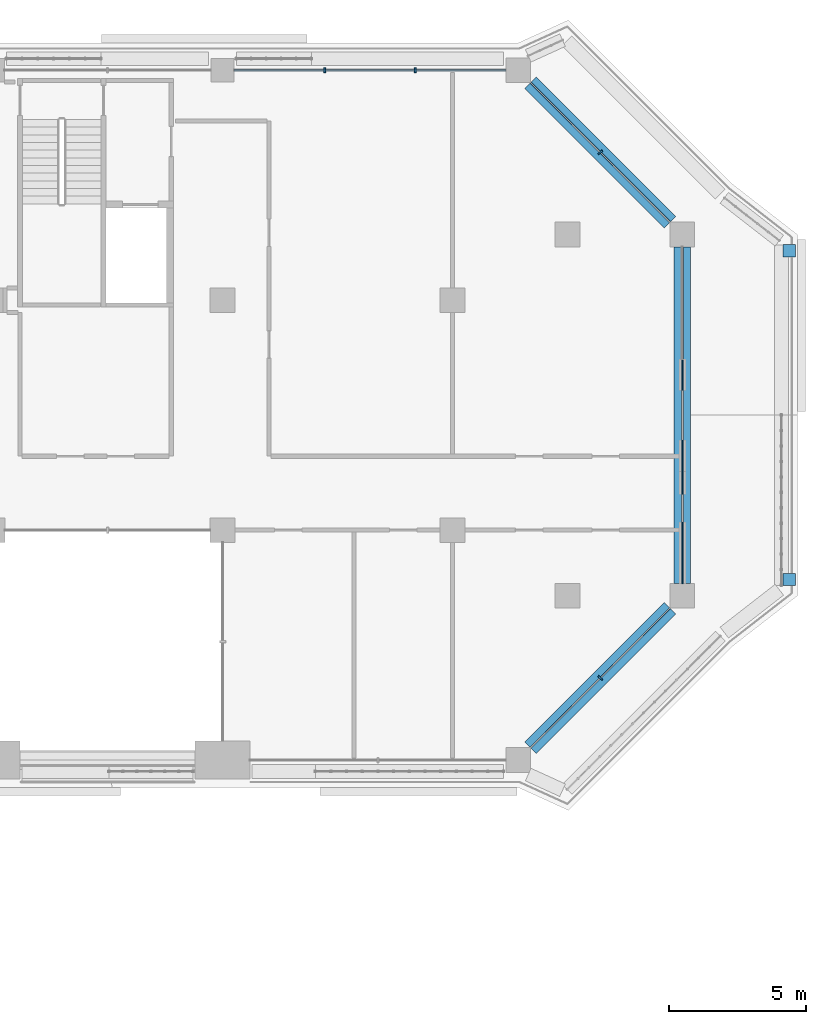
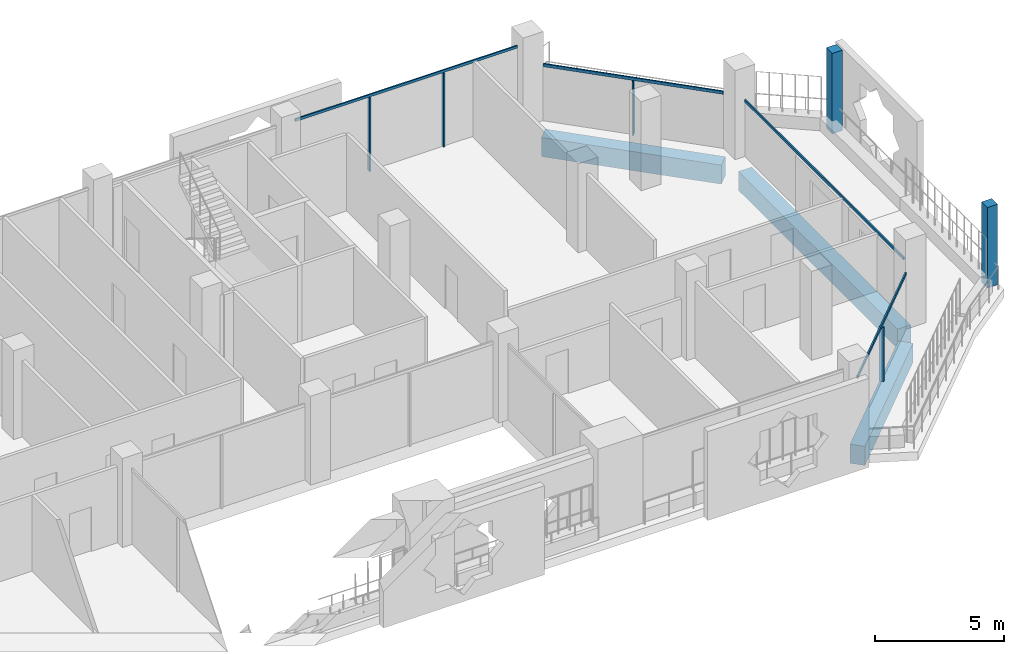
# One storey, part 9 of 23: 10 members, 3 beams, 5 elements without a shape of their own.
"""IFC4 building model written with IfcOpenShell, lengths in metres."""

from ifc_helpers import new_model, si_unit, direction, frame, origin, origin_2d, place, context, subcontext, project, spatial, rectangle, extrude, material, layer, layer_set, material_profile, profile_set, type_object, element, aggregate, save


model = new_model("IFC4")

# Units and contexts
model_context = context("Model", 3, precision=1e-05, world=origin(), true_north=direction((0.0, 1.0)))
body_context = subcontext(model_context, "Body", "Model", "MODEL_VIEW")
ifc_project = project(units=[si_unit("LENGTHUNIT", "METRE"), si_unit("AREAUNIT", "SQUARE_METRE"), si_unit("VOLUMEUNIT", "CUBIC_METRE"), si_unit("PLANEANGLEUNIT", "RADIAN"), si_unit("MASSUNIT", "GRAM", prefix="KILO")], contexts=[model_context])

# Site, building, storey
site_placement = place(None, origin())
site = spatial("IfcSite", under=ifc_project, at=site_placement, CompositionType="ELEMENT")
building_placement = place(site_placement, origin())
building = spatial("IfcBuilding", under=site, at=building_placement, Name="Kawkab Arch Medical Tower", CompositionType="ELEMENT")
storey_placement = place(building_placement, frame((0.0, 0.0, 222.199951171875)))
storey = spatial("IfcBuildingStorey", under=building, at=storey_placement, Name="L51", CompositionType="ELEMENT", Elevation=222.199951171875)

# Curtain wall, members
ifc_material_1 = material(Name="Bronze anodised aluminium curtain wall frame", Category="aluminium")
ifc_layer_1 = layer(ifc_material_1, 0.159912109375)
ifc_layer_set_1 = layer_set([ifc_layer_1], Name="Bronze anodised aluminium curtain wall frame")
curtain_wall_type_1 = type_object("IfcCurtainWallType", Name="CW1 ward curtain wall", PredefinedType="NOTDEFINED", material=ifc_layer_set_1)
placement = place(storey_placement, origin())
curtain_wall_1 = element("IfcCurtainWall", 1, at=placement, inside=storey, type_object=curtain_wall_type_1, Name="CW1 Ward curtain wall R09", PredefinedType="NOTDEFINED")
ifc_material_2 = material(Name="Bronze anodised aluminium curtain wall frame", Category="aluminium")
ifc_material_profile_1 = material_profile(ifc_material_2, rectangle(XDim=0.179931640625, YDim=0.06005859375, at=origin_2d()), Name="AL 60x180")
ifc_profile_set_1 = profile_set([ifc_material_profile_1], Name="Bronze anodised aluminium curtain wall frame")
member_type_1 = type_object("IfcMemberType", Name="CW1 mullion 60 x 180", PredefinedType="MULLION", material=ifc_profile_set_1)
member_1_placement = place(storey_placement, frame((57.441650390625, 0.0, 0.0), z_axis=(0.0, 0.0, 1.0), x_axis=(0.0, -1.0, 0.0)))
member_1 = element("IfcMember", 2, at=member_1_placement, type_object=member_type_1, Name="CW1 mullion 1.1", PredefinedType="MULLION", context=body_context, shape_type="SweptSolid", body=[
    extrude(rectangle(XDim=0.179931640625, YDim=0.06005859375, at=origin_2d()), origin(), (0.0, 0.0, 1.0), 3.47998046875),
])
member_2_placement = place(storey_placement, frame((54.13330078125, 0.0, 0.0), z_axis=(0.0, 0.0, 1.0), x_axis=(0.0, -1.0, 0.0)))
member_2 = element("IfcMember", 3, at=member_2_placement, type_object=member_type_1, Name="CW1 mullion 1.2", PredefinedType="MULLION", context=body_context, shape_type="SweptSolid", body=[
    extrude(rectangle(XDim=0.179931640625, YDim=0.06005859375, at=origin_2d()), origin(), (0.0, 0.0, 1.0), 3.47998046875),
])

# Curtain wall, member
curtain_wall_2 = element("IfcCurtainWall", 4, at=placement, inside=storey, type_object=curtain_wall_type_1, Name="CW1 Ward curtain wall R07", PredefinedType="NOTDEFINED")
ifc_material_3 = material(Name="Bronze anodised aluminium curtain wall frame", Category="aluminium")
ifc_material_profile_2 = material_profile(ifc_material_3, rectangle(XDim=0.06005859375, YDim=0.1201171875, at=origin_2d()), Name="AL 60x120")
ifc_profile_set_2 = profile_set([ifc_material_profile_2], Name="Bronze anodised aluminium curtain wall frame")
member_type_2 = type_object("IfcMemberType", Name="CW1 transom 120 x 60", PredefinedType="USERDEFINED", material=ifc_profile_set_2)
member_3_placement = place(storey_placement, frame((67.199951171875, -18.75, 2.64013671875), z_axis=(0.0, 1.0, 0.0), x_axis=(-1.0, 0.0, 0.0)))
member_3 = element("IfcMember", 5, at=member_3_placement, type_object=member_type_2, Name="CW1 transom 1", ObjectType="TRANSOM", PredefinedType="USERDEFINED", context=body_context, shape_type="SweptSolid", body=[
    extrude(rectangle(XDim=0.06005859375, YDim=0.1201171875, at=origin_2d()), origin(), (0.0, 0.0, 1.0), 12.300048828125),
])
aggregate(curtain_wall_2, [member_3])

# Member
member_4_placement = place(storey_placement, frame((60.75, 0.0, 3.5400390625), z_axis=(-1.0, 0.0, 0.0), x_axis=(0.0, -1.0, 0.0)))
member_4 = element("IfcMember", 6, at=member_4_placement, type_object=member_type_2, Name="CW1 transom 1", ObjectType="TRANSOM", PredefinedType="USERDEFINED", context=body_context, shape_type="SweptSolid", body=[
    extrude(rectangle(XDim=0.06005859375, YDim=0.1201171875, at=origin_2d()), origin(), (0.0, 0.0, 1.0), 9.925048828125),
])

aggregate(curtain_wall_1, [member_4, member_1, member_2])

# Curtain wall, member
ifc_material_4 = material(Name="Bronze anodised aluminium curtain wall frame", Category="aluminium")
ifc_layer_2 = layer(ifc_material_4, 0.159912109375)
ifc_layer_set_2 = layer_set([ifc_layer_2], Name="Bronze anodised aluminium curtain wall frame")
curtain_wall_type_2 = type_object("IfcCurtainWallType", Name="CW2 chamfer curtain wall", PredefinedType="NOTDEFINED", material=ifc_layer_set_2)
curtain_wall_3 = element("IfcCurtainWall", 7, at=placement, inside=storey, type_object=curtain_wall_type_2, Name="CW2 Chamfer curtain wall R06", PredefinedType="NOTDEFINED")
ifc_material_5 = material(Name="Bronze anodised aluminium curtain wall frame", Category="aluminium")
ifc_material_profile_3 = material_profile(ifc_material_5, rectangle(XDim=0.199951171875, YDim=0.06005859375, at=origin_2d()), Name="AL 60x200")
ifc_profile_set_3 = profile_set([ifc_material_profile_3], Name="Bronze anodised aluminium curtain wall frame")
member_type_3 = type_object("IfcMemberType", Name="CW2 mullion 60 x 200", PredefinedType="MULLION", material=ifc_profile_set_3)
member_5_placement = place(storey_placement, frame((64.199951171875, -22.199951171875, 0.0), z_axis=(0.0, 0.0, 1.0), x_axis=(-0.707106781187, 0.707106781187, 0.0)))
member_5 = element("IfcMember", 8, at=member_5_placement, type_object=member_type_3, Name="CW2 mullion 1.1", PredefinedType="MULLION", context=body_context, shape_type="SweptSolid", body=[
    extrude(rectangle(XDim=0.199951171875, YDim=0.06005859375, at=origin_2d()), origin(), (0.0, 0.0, 1.0), 2.56005859375),
])

curtain_wall_4 = element("IfcCurtainWall", 9, at=placement, inside=storey, type_object=curtain_wall_type_2, Name="CW2 Chamfer curtain wall R08", PredefinedType="NOTDEFINED")
member_6_placement = place(storey_placement, frame((64.199951171875, -3.0, 0.0), z_axis=(0.0, 0.0, 1.0), x_axis=(-0.707106781187, -0.707106781187, 0.0)))
member_6 = element("IfcMember", 10, at=member_6_placement, type_object=member_type_3, Name="CW2 mullion 1.1", PredefinedType="MULLION", context=body_context, shape_type="SweptSolid", body=[
    extrude(rectangle(XDim=0.199951171875, YDim=0.06005859375, at=origin_2d()), origin(), (0.0, 0.0, 1.0), 2.56005859375),
])

# Member
ifc_material_6 = material(Name="Bronze anodised aluminium curtain wall frame", Category="aluminium")
ifc_material_profile_4 = material_profile(ifc_material_6, rectangle(XDim=0.06005859375, YDim=0.139892578125, at=origin_2d()), Name="AL 60x140")
ifc_profile_set_4 = profile_set([ifc_material_profile_4], Name="Bronze anodised aluminium curtain wall frame")
member_type_4 = type_object("IfcMemberType", Name="CW2 transom 140 x 60", PredefinedType="USERDEFINED", material=ifc_profile_set_4)
member_7_placement = place(storey_placement, frame((61.64990234375, -24.75, 2.630126953125), z_axis=(0.707106781187, 0.707106781187, 0.0), x_axis=(-0.707106781187, 0.707106781187, 0.0)))
member_7 = element("IfcMember", 11, at=member_7_placement, type_object=member_type_4, Name="CW2 transom 1", ObjectType="TRANSOM", PredefinedType="USERDEFINED", context=body_context, shape_type="SweptSolid", body=[
    extrude(rectangle(XDim=0.06005859375, YDim=0.139892578125, at=origin_2d()), origin(), (0.0, 0.0, 1.0), 7.212646484375),
])

aggregate(curtain_wall_3, [member_7, member_5])

member_8_placement = place(storey_placement, frame((66.75, -5.550048828125, 2.630126953125), z_axis=(-0.707106781187, 0.707106781187, 0.0), x_axis=(-0.707106781187, -0.707106781187, 0.0)))
member_8 = element("IfcMember", 12, at=member_8_placement, type_object=member_type_4, Name="CW2 transom 1", ObjectType="TRANSOM", PredefinedType="USERDEFINED", context=body_context, shape_type="SweptSolid", body=[
    extrude(rectangle(XDim=0.06005859375, YDim=0.139892578125, at=origin_2d()), origin(), (0.0, 0.0, 1.0), 7.212646484375),
])

aggregate(curtain_wall_4, [member_8, member_6])

# Curtain wall, members
ifc_material_7 = material(Name="Bronze anodised aluminium climber frame, planted", Category="aluminium")
ifc_layer_3 = layer(ifc_material_7, 0.449951171875)
ifc_layer_set_3 = layer_set([ifc_layer_3], Name="Bronze anodised aluminium climber frame, planted")
curtain_wall_type_3 = type_object("IfcCurtainWallType", Name="Planted climber frame", PredefinedType="NOTDEFINED", material=ifc_layer_set_3)
curtain_wall_5 = element("IfcCurtainWall", 13, at=placement, inside=storey, type_object=curtain_wall_type_3, Name="Planted climber frame L51", PredefinedType="NOTDEFINED")
ifc_material_8 = material(Name="Bronze anodised aluminium climber frame, planted", Category="aluminium")
ifc_material_profile_5 = material_profile(ifc_material_8, rectangle(XDim=0.449951171875, YDim=0.449951171875, at=origin_2d()), Name="Post 450x450")
ifc_profile_set_5 = profile_set([ifc_material_profile_5], Name="Bronze anodised aluminium climber frame, planted")
member_type_5 = type_object("IfcMemberType", Name="Planted climber post 450 x 450", PredefinedType="MULLION", material=ifc_profile_set_5)
member_9_placement = place(storey_placement, frame((71.10009765625, -6.596923828125, 0.0), z_axis=(0.0, 0.0, 1.0), x_axis=(1.0, 0.0, 0.0)))
member_9 = element("IfcMember", 14, at=member_9_placement, type_object=member_type_5, Name="Planted climber post L51.LOG-01-02.1", PredefinedType="MULLION", context=body_context, shape_type="SweptSolid", body=[
    extrude(rectangle(XDim=0.449951171875, YDim=0.449951171875, at=origin_2d()), origin(), (0.0, 0.0, 1.0), 3.800048828125),
])
member_10_placement = place(storey_placement, frame((71.10009765625, -18.60302734375, 0.0), z_axis=(0.0, 0.0, 1.0), x_axis=(1.0, 0.0, 0.0)))
member_10 = element("IfcMember", 15, at=member_10_placement, type_object=member_type_5, Name="Planted climber post L51.LOG-01-02.2", PredefinedType="MULLION", context=body_context, shape_type="SweptSolid", body=[
    extrude(rectangle(XDim=0.449951171875, YDim=0.449951171875, at=origin_2d()), origin(), (0.0, 0.0, 1.0), 3.800048828125),
])
aggregate(curtain_wall_5, [member_9, member_10])

# Beams
ifc_material_9 = material(Name="Concrete C45/55", Category="concrete")
ifc_material_profile_6 = material_profile(ifc_material_9, rectangle(XDim=0.60009765625, YDim=0.89990234375, at=origin_2d()), Name="RC 600x900")
ifc_profile_set_6 = profile_set([ifc_material_profile_6], Name="Concrete C45/55")
beam_type = type_object("IfcBeamType", Name="RC 600x900 beam C45/55", PredefinedType="BEAM", material=ifc_profile_set_6)
beam_1_placement = place(storey_placement, frame((61.64990234375, -0.449951171875, -1.050048828125), z_axis=(0.707106781187, -0.707106781187, 0.0), x_axis=(0.707106781187, 0.707106781187, 0.0)))
element("IfcBeam", 16, at=beam_1_placement, inside=storey, type_object=beam_type, Name="Overhang edge beam L51-01", PredefinedType="BEAM", context=body_context, shape_type="SweptSolid", body=[
    extrude(rectangle(XDim=0.60009765625, YDim=0.89990234375, at=origin_2d()), origin(), (0.0, 0.0, 1.0), 7.212646484375),
])
beam_2_placement = place(storey_placement, frame((67.199951171875, -6.449951171875, -1.050048828125), z_axis=(0.0, -1.0, 0.0), x_axis=(1.0, 0.0, 0.0)))
element("IfcBeam", 17, at=beam_2_placement, inside=storey, type_object=beam_type, Name="Overhang edge beam L51-02", PredefinedType="BEAM", context=body_context, shape_type="SweptSolid", body=[
    extrude(rectangle(XDim=0.60009765625, YDim=0.89990234375, at=origin_2d()), origin(), (0.0, 0.0, 1.0), 12.300048828125),
])
beam_3_placement = place(storey_placement, frame((66.75, -19.64990234375, -1.050048828125), z_axis=(-0.707106781187, -0.707106781187, 0.0), x_axis=(0.707106781187, -0.707106781187, 0.0)))
element("IfcBeam", 18, at=beam_3_placement, inside=storey, type_object=beam_type, Name="Overhang edge beam L51-03", PredefinedType="BEAM", context=body_context, shape_type="SweptSolid", body=[
    extrude(rectangle(XDim=0.60009765625, YDim=0.89990234375, at=origin_2d()), origin(), (0.0, 0.0, 1.0), 7.212646484375),
])

save(model, "model.ifc")
